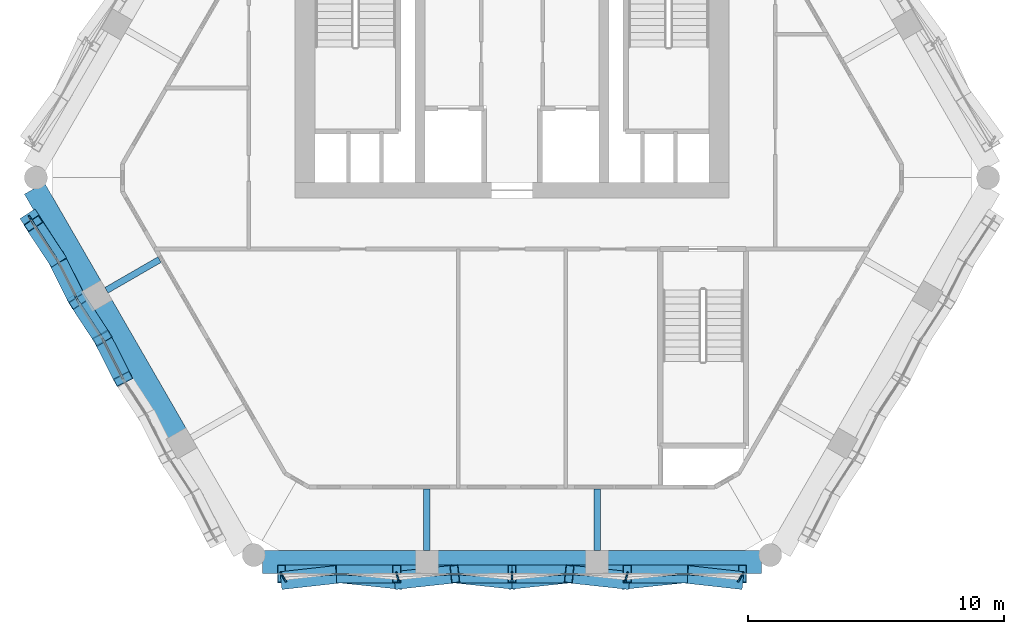
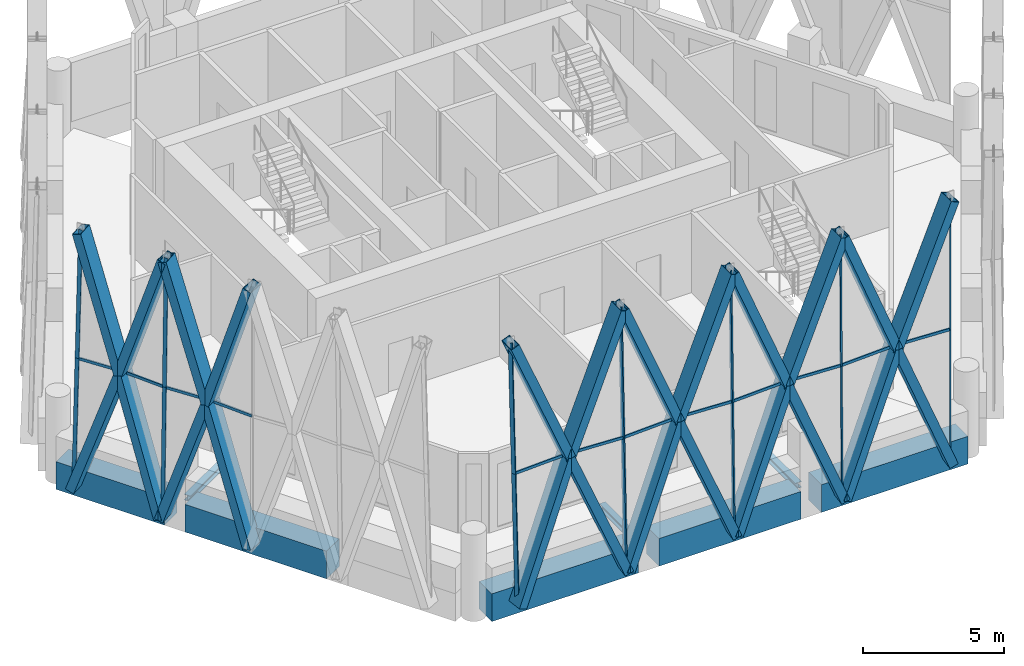
# One storey, part 4 of 21: 50 members, 8 beams, 4 elements without a shape of their own.
"""IFC4 building model written with IfcOpenShell, lengths in metres."""

from ifc_helpers import new_model, si_unit, direction, frame, origin, origin_2d, place, context, subcontext, project, spatial, rectangle, hollow_rectangle, i_section, extrude, material, material_profile, profile_set, type_object, element, aggregate, save


model = new_model("IFC4")

# Units and contexts
model_context = context("Model", 3, precision=1e-05, world=origin(), true_north=direction((0.0, 1.0)))
body_context = subcontext(model_context, "Body", "Model", "MODEL_VIEW")
ifc_project = project(units=[si_unit("LENGTHUNIT", "METRE"), si_unit("AREAUNIT", "SQUARE_METRE"), si_unit("VOLUMEUNIT", "CUBIC_METRE"), si_unit("PLANEANGLEUNIT", "RADIAN"), si_unit("MASSUNIT", "GRAM", prefix="KILO")], contexts=[model_context])

# Site, building, storey
site_placement = place(None, origin())
site = spatial("IfcSite", under=ifc_project, at=site_placement, CompositionType="ELEMENT")
building_placement = place(site_placement, origin())
building = spatial("IfcBuilding", under=site, at=building_placement, Name="Ostrander Bayou Hotel Tower", CompositionType="ELEMENT")
storey_placement = place(building_placement, frame((0.0, 0.0, 256.25)))
storey = spatial("IfcBuildingStorey", under=building, at=storey_placement, Name="L63", CompositionType="ELEMENT", Elevation=256.25)

# Curtain wall, members
ifc_material_1 = material(Name="Aluminium and clear glass", Category="aluminium")
curtain_wall_type = type_object("IfcCurtainWallType", Name="CW-LAT lattice glazing", PredefinedType="NOTDEFINED", material=ifc_material_1)
curtain_wall_1_placement = place(storey_placement, origin())
curtain_wall_1 = element("IfcCurtainWall", 1, at=curtain_wall_1_placement, inside=storey, type_object=curtain_wall_type, Name="CW-LAT L63 SW 1", PredefinedType="NOTDEFINED")
ifc_material_2 = material(Name="Aluminium", Category="aluminium")
ifc_material_profile_1 = material_profile(ifc_material_2, hollow_rectangle(XDim=0.06005859375, YDim=0.159912109375, WallThickness=0.00390625, at=origin_2d()))
ifc_profile_set_1 = profile_set([ifc_material_profile_1], Name="Aluminium")
member_type_1 = type_object("IfcMemberType", Name="CW-LA mullion 60 x 160 mm", PredefinedType="MULLION", material=ifc_profile_set_1)
member_1_placement = place(storey_placement, frame((-18.866455078125, -2.46240234375, -0.60009765625), z_axis=(0.012626192954, -0.021824656549, 0.999682081273), x_axis=(0.865583332221, 0.500764909893, 0.0)))
member_1 = element("IfcMember", 2, at=member_1_placement, type_object=member_type_1, Name="CW-LAT mullion 1", PredefinedType="MULLION", context=body_context, shape_type="SweptSolid", body=[
    extrude(hollow_rectangle(XDim=0.06005859375, YDim=0.159912109375, WallThickness=0.00390625, at=origin_2d()), origin(), (0.0, 0.0, 1.0), 5.626708984375),
])
member_2_placement = place(storey_placement, frame((-18.79541015625, -2.585205078125, 5.02490234375), z_axis=(0.012582810856, -0.021824668484, 0.999682627996), x_axis=(0.866328918095, 0.499473928922, 0.0)))
member_2 = element("IfcMember", 3, at=member_2_placement, type_object=member_type_1, Name="CW-LAT mullion 2", PredefinedType="MULLION", context=body_context, shape_type="SweptSolid", body=[
    extrude(hollow_rectangle(XDim=0.06005859375, YDim=0.159912109375, WallThickness=0.00390625, at=origin_2d()), origin(), (0.0, 0.0, 1.0), 5.626708984375),
])
member_3_placement = place(storey_placement, frame((-17.041259765625, -5.623779296875, -0.60009765625), z_axis=(0.006292904751, -0.010893235121, 0.999920865258), x_axis=(0.865898279276, 0.500220121494, 0.0)))
member_3 = element("IfcMember", 4, at=member_3_placement, type_object=member_type_1, Name="CW-LAT mullion 4", PredefinedType="MULLION", context=body_context, shape_type="SweptSolid", body=[
    extrude(hollow_rectangle(XDim=0.06005859375, YDim=0.159912109375, WallThickness=0.00390625, at=origin_2d()), origin(), (0.0, 0.0, 1.0), 5.62548828125),
])
member_4_placement = place(storey_placement, frame((-17.005859375, -5.68505859375, 5.02490234375), z_axis=(0.00629290177, -0.010936629283, 0.999920391595), x_axis=(0.866757633554, 0.498729590736, 0.0)))
member_4 = element("IfcMember", 5, at=member_4_placement, type_object=member_type_1, Name="CW-LAT mullion 5", PredefinedType="MULLION", context=body_context, shape_type="SweptSolid", body=[
    extrude(hollow_rectangle(XDim=0.06005859375, YDim=0.159912109375, WallThickness=0.00390625, at=origin_2d()), origin(), (0.0, 0.0, 1.0), 5.62548828125),
])
aggregate(curtain_wall_1, [member_1, member_2, member_3, member_4])

curtain_wall_2_placement = place(storey_placement, origin())
curtain_wall_2 = element("IfcCurtainWall", 6, at=curtain_wall_2_placement, inside=storey, type_object=curtain_wall_type, Name="CW-LAT L63 S 1", PredefinedType="NOTDEFINED")
member_5_placement = place(storey_placement, frame((-8.87841796875, -16.658935546875, -0.60009765625), z_axis=(-0.012582822759, 0.021781300087, 0.999683573706), x_axis=(-0.865898279276, -0.500220121494, 0.0)))
member_5 = element("IfcMember", 7, at=member_5_placement, type_object=member_type_1, Name="CW-LAT mullion 1", PredefinedType="MULLION", context=body_context, shape_type="SweptSolid", body=[
    extrude(hollow_rectangle(XDim=0.06005859375, YDim=0.159912109375, WallThickness=0.00390625, at=origin_2d()), origin(), (0.0, 0.0, 1.0), 5.626708984375),
])
member_6_placement = place(storey_placement, frame((-8.94921875, -16.536376953125, 5.02490234375), z_axis=(-0.012626192954, 0.021824656549, 0.999682081273), x_axis=(-0.865583332221, -0.500764909893, 0.0)))
member_6 = element("IfcMember", 8, at=member_6_placement, type_object=member_type_1, Name="CW-LAT mullion 2", PredefinedType="MULLION", context=body_context, shape_type="SweptSolid", body=[
    extrude(hollow_rectangle(XDim=0.06005859375, YDim=0.159912109375, WallThickness=0.00390625, at=origin_2d()), origin(), (0.0, 0.0, 1.0), 5.626708984375),
])
member_7_placement = place(storey_placement, frame((-4.439208984375, -16.658935546875, -0.60009765625), z_axis=(-0.006291784952, 0.021782593418, 0.999742932991), x_axis=(-0.960725521759, -0.277500399711, 0.0)))
member_7 = element("IfcMember", 9, at=member_7_placement, type_object=member_type_1, Name="CW-LAT mullion 4", PredefinedType="MULLION", context=body_context, shape_type="SweptSolid", body=[
    extrude(hollow_rectangle(XDim=0.06005859375, YDim=0.159912109375, WallThickness=0.00390625, at=origin_2d()), origin(), (0.0, 0.0, 1.0), 5.62646484375),
])
member_8_placement = place(storey_placement, frame((-4.474609375, -16.536376953125, 5.02490234375), z_axis=(-0.006291778999, 0.021825964389, 0.999741987112), x_axis=(-0.960872490948, -0.276991075919, 0.0)))
member_8 = element("IfcMember", 10, at=member_8_placement, type_object=member_type_1, Name="CW-LAT mullion 5", PredefinedType="MULLION", context=body_context, shape_type="SweptSolid", body=[
    extrude(hollow_rectangle(XDim=0.06005859375, YDim=0.159912109375, WallThickness=0.00390625, at=origin_2d()), origin(), (0.0, 0.0, 1.0), 5.62646484375),
])
member_9_placement = place(storey_placement, frame((0.0, -16.658935546875, -0.60009765625), z_axis=(0.0, 0.02178302458, 0.99976272177), x_axis=(-1.0, 0.0, 0.0)))
member_9 = element("IfcMember", 11, at=member_9_placement, type_object=member_type_1, Name="CW-LAT mullion 8", PredefinedType="MULLION", context=body_context, shape_type="SweptSolid", body=[
    extrude(hollow_rectangle(XDim=0.06005859375, YDim=0.159912109375, WallThickness=0.00390625, at=origin_2d()), origin(), (0.0, 0.0, 1.0), 5.626220703125),
])
member_10_placement = place(storey_placement, frame((0.0, -16.536376953125, 5.02490234375), z_axis=(0.0, 0.021826396408, 0.999761775835), x_axis=(-1.0, 0.0, 0.0)))
member_10 = element("IfcMember", 12, at=member_10_placement, type_object=member_type_1, Name="CW-LAT mullion 9", PredefinedType="MULLION", context=body_context, shape_type="SweptSolid", body=[
    extrude(hollow_rectangle(XDim=0.06005859375, YDim=0.159912109375, WallThickness=0.00390625, at=origin_2d()), origin(), (0.0, 0.0, 1.0), 5.626220703125),
])
member_11_placement = place(storey_placement, frame((4.439208984375, -16.658935546875, -0.60009765625), z_axis=(0.006291784952, 0.021782593418, 0.999742932991), x_axis=(-0.960725521759, 0.277500399711, 0.0)))
member_11 = element("IfcMember", 13, at=member_11_placement, type_object=member_type_1, Name="CW-LAT mullion 12", PredefinedType="MULLION", context=body_context, shape_type="SweptSolid", body=[
    extrude(hollow_rectangle(XDim=0.06005859375, YDim=0.159912109375, WallThickness=0.00390625, at=origin_2d()), origin(), (0.0, 0.0, 1.0), 5.62646484375),
])
member_12_placement = place(storey_placement, frame((4.474609375, -16.536376953125, 5.02490234375), z_axis=(0.006291778999, 0.021825964389, 0.999741987112), x_axis=(-0.960872490948, 0.276991075919, 0.0)))
member_12 = element("IfcMember", 14, at=member_12_placement, type_object=member_type_1, Name="CW-LAT mullion 13", PredefinedType="MULLION", context=body_context, shape_type="SweptSolid", body=[
    extrude(hollow_rectangle(XDim=0.06005859375, YDim=0.159912109375, WallThickness=0.00390625, at=origin_2d()), origin(), (0.0, 0.0, 1.0), 5.62646484375),
])
member_13_placement = place(storey_placement, frame((8.87841796875, -16.658935546875, -0.60009765625), z_axis=(0.012582822759, 0.021781300087, 0.999683573706), x_axis=(-0.865898279276, 0.500220121494, 0.0)))
member_13 = element("IfcMember", 15, at=member_13_placement, type_object=member_type_1, Name="CW-LAT mullion 16", PredefinedType="MULLION", context=body_context, shape_type="SweptSolid", body=[
    extrude(hollow_rectangle(XDim=0.06005859375, YDim=0.159912109375, WallThickness=0.00390625, at=origin_2d()), origin(), (0.0, 0.0, 1.0), 5.626708984375),
])
member_14_placement = place(storey_placement, frame((8.94921875, -16.536376953125, 5.02490234375), z_axis=(0.012626192954, 0.021824656549, 0.999682081273), x_axis=(-0.865583332221, 0.500764909893, 0.0)))
member_14 = element("IfcMember", 16, at=member_14_placement, type_object=member_type_1, Name="CW-LAT mullion 17", PredefinedType="MULLION", context=body_context, shape_type="SweptSolid", body=[
    extrude(hollow_rectangle(XDim=0.06005859375, YDim=0.159912109375, WallThickness=0.00390625, at=origin_2d()), origin(), (0.0, 0.0, 1.0), 5.626708984375),
])
aggregate(curtain_wall_2, [member_5, member_6, member_7, member_8, member_9, member_10, member_11, member_12, member_13, member_14])

curtain_wall_3_placement = place(storey_placement, origin())
curtain_wall_3 = element("IfcCurtainWall", 17, at=curtain_wall_3_placement, inside=storey, type_object=curtain_wall_type, Name="CW-LAT L63 SW 2", PredefinedType="NOTDEFINED")
ifc_material_3 = material(Name="Aluminium", Category="aluminium")
ifc_material_profile_2 = material_profile(ifc_material_3, hollow_rectangle(XDim=0.06005859375, YDim=0.1201171875, WallThickness=0.00390625, at=origin_2d()))
ifc_profile_set_2 = profile_set([ifc_material_profile_2], Name="Aluminium")
member_type_2 = type_object("IfcMemberType", Name="CW-LA transom 60 x 120 mm", PredefinedType="USERDEFINED", material=ifc_profile_set_2)
member_15_placement = place(storey_placement, frame((-18.79541015625, -2.585205078125, 5.02490234375), z_axis=(0.545423988773, -0.83816029044, 0.0), x_axis=(0.83816029044, 0.545423988773, 0.0)))
member_15 = element("IfcMember", 18, at=member_15_placement, type_object=member_type_2, Name="CW-LAT transom 3", ObjectType="TRANSOM", PredefinedType="USERDEFINED", context=body_context, shape_type="SweptSolid", body=[
    extrude(hollow_rectangle(XDim=0.06005859375, YDim=0.1201171875, WallThickness=0.00390625, at=origin_2d()), origin(), (0.0, 0.0, 1.0), 1.792236328125),
])
member_16_placement = place(storey_placement, frame((-17.005859375, -5.68505859375, 5.02490234375), z_axis=(-0.453088894206, 0.891465340856, 0.0), x_axis=(-0.891465340856, -0.453088894206, 0.0)))
member_16 = element("IfcMember", 19, at=member_16_placement, type_object=member_type_2, Name="CW-LAT transom 6", ObjectType="TRANSOM", PredefinedType="USERDEFINED", context=body_context, shape_type="SweptSolid", body=[
    extrude(hollow_rectangle(XDim=0.06005859375, YDim=0.1201171875, WallThickness=0.00390625, at=origin_2d()), origin(), (0.0, 0.0, 1.0), 1.792236328125),
])
member_17_placement = place(storey_placement, frame((-17.005859375, -5.68505859375, 5.02490234375), z_axis=(0.545519674229, -0.838098016362, 0.0), x_axis=(0.838098016362, 0.545519674229, 0.0)))
member_17 = element("IfcMember", 20, at=member_17_placement, type_object=member_type_2, Name="CW-LAT transom 7", ObjectType="TRANSOM", PredefinedType="USERDEFINED", context=body_context, shape_type="SweptSolid", body=[
    extrude(hollow_rectangle(XDim=0.06005859375, YDim=0.1201171875, WallThickness=0.00390625, at=origin_2d()), origin(), (0.0, 0.0, 1.0), 1.79248046875),
])
member_18_placement = place(storey_placement, frame((-15.216064453125, -8.784912109375, 5.02490234375), z_axis=(-0.453088894206, 0.891465340856, 0.0), x_axis=(-0.891465340856, -0.453088894206, 0.0)))
member_18 = element("IfcMember", 21, at=member_18_placement, type_object=member_type_2, Name="CW-LAT transom 10", ObjectType="TRANSOM", PredefinedType="USERDEFINED", context=body_context, shape_type="SweptSolid", body=[
    extrude(hollow_rectangle(XDim=0.06005859375, YDim=0.1201171875, WallThickness=0.00390625, at=origin_2d()), origin(), (0.0, 0.0, 1.0), 1.792236328125),
])
aggregate(curtain_wall_3, [member_15, member_16, member_17, member_18])

curtain_wall_4_placement = place(storey_placement, origin())
curtain_wall_4 = element("IfcCurtainWall", 22, at=curtain_wall_4_placement, inside=storey, type_object=curtain_wall_type, Name="CW-LAT L63 S 2", PredefinedType="NOTDEFINED")
member_19_placement = place(storey_placement, frame((-8.94921875, -16.536376953125, 5.02490234375), z_axis=(0.998648066902, 0.051981135739, 0.0), x_axis=(-0.051981135739, 0.998648066902, 0.0)))
member_19 = element("IfcMember", 23, at=member_19_placement, type_object=member_type_2, Name="CW-LAT transom 3", ObjectType="TRANSOM", PredefinedType="USERDEFINED", context=body_context, shape_type="SweptSolid", body=[
    extrude(hollow_rectangle(XDim=0.06005859375, YDim=0.1201171875, WallThickness=0.00390625, at=origin_2d()), origin(), (0.0, 0.0, 1.0), 2.240234375),
])
member_20_placement = place(storey_placement, frame((-4.474609375, -16.536376953125, 5.02490234375), z_axis=(-0.998648066902, 0.051981135739, 0.0), x_axis=(-0.051981135739, -0.998648066902, 0.0)))
member_20 = element("IfcMember", 24, at=member_20_placement, type_object=member_type_2, Name="CW-LAT transom 6", ObjectType="TRANSOM", PredefinedType="USERDEFINED", context=body_context, shape_type="SweptSolid", body=[
    extrude(hollow_rectangle(XDim=0.06005859375, YDim=0.1201171875, WallThickness=0.00390625, at=origin_2d()), origin(), (0.0, 0.0, 1.0), 2.240234375),
])
member_21_placement = place(storey_placement, frame((-4.474609375, -16.536376953125, 5.02490234375), z_axis=(0.998648066902, 0.051981135739, 0.0), x_axis=(-0.051981135739, 0.998648066902, 0.0)))
member_21 = element("IfcMember", 25, at=member_21_placement, type_object=member_type_2, Name="CW-LAT transom 7", ObjectType="TRANSOM", PredefinedType="USERDEFINED", context=body_context, shape_type="SweptSolid", body=[
    extrude(hollow_rectangle(XDim=0.06005859375, YDim=0.1201171875, WallThickness=0.00390625, at=origin_2d()), origin(), (0.0, 0.0, 1.0), 2.240234375),
])
member_22_placement = place(storey_placement, frame((0.0, -16.536376953125, 5.02490234375), z_axis=(-0.998648066902, 0.051981135739, 0.0), x_axis=(-0.051981135739, -0.998648066902, 0.0)))
member_22 = element("IfcMember", 26, at=member_22_placement, type_object=member_type_2, Name="CW-LAT transom 10", ObjectType="TRANSOM", PredefinedType="USERDEFINED", context=body_context, shape_type="SweptSolid", body=[
    extrude(hollow_rectangle(XDim=0.06005859375, YDim=0.1201171875, WallThickness=0.00390625, at=origin_2d()), origin(), (0.0, 0.0, 1.0), 2.240234375),
])
member_23_placement = place(storey_placement, frame((0.0, -16.536376953125, 5.02490234375), z_axis=(0.998648066902, 0.051981135739, 0.0), x_axis=(-0.051981135739, 0.998648066902, 0.0)))
member_23 = element("IfcMember", 27, at=member_23_placement, type_object=member_type_2, Name="CW-LAT transom 11", ObjectType="TRANSOM", PredefinedType="USERDEFINED", context=body_context, shape_type="SweptSolid", body=[
    extrude(hollow_rectangle(XDim=0.06005859375, YDim=0.1201171875, WallThickness=0.00390625, at=origin_2d()), origin(), (0.0, 0.0, 1.0), 2.240234375),
])
member_24_placement = place(storey_placement, frame((4.474609375, -16.536376953125, 5.02490234375), z_axis=(-0.998648066902, 0.051981135739, 0.0), x_axis=(-0.051981135739, -0.998648066902, 0.0)))
member_24 = element("IfcMember", 28, at=member_24_placement, type_object=member_type_2, Name="CW-LAT transom 14", ObjectType="TRANSOM", PredefinedType="USERDEFINED", context=body_context, shape_type="SweptSolid", body=[
    extrude(hollow_rectangle(XDim=0.06005859375, YDim=0.1201171875, WallThickness=0.00390625, at=origin_2d()), origin(), (0.0, 0.0, 1.0), 2.240234375),
])
member_25_placement = place(storey_placement, frame((4.474609375, -16.536376953125, 5.02490234375), z_axis=(0.998648066902, 0.051981135739, 0.0), x_axis=(-0.051981135739, 0.998648066902, 0.0)))
member_25 = element("IfcMember", 29, at=member_25_placement, type_object=member_type_2, Name="CW-LAT transom 15", ObjectType="TRANSOM", PredefinedType="USERDEFINED", context=body_context, shape_type="SweptSolid", body=[
    extrude(hollow_rectangle(XDim=0.06005859375, YDim=0.1201171875, WallThickness=0.00390625, at=origin_2d()), origin(), (0.0, 0.0, 1.0), 2.240234375),
])
member_26_placement = place(storey_placement, frame((8.94921875, -16.536376953125, 5.02490234375), z_axis=(-0.998648066902, 0.051981135739, 0.0), x_axis=(-0.051981135739, -0.998648066902, 0.0)))
member_26 = element("IfcMember", 30, at=member_26_placement, type_object=member_type_2, Name="CW-LAT transom 18", ObjectType="TRANSOM", PredefinedType="USERDEFINED", context=body_context, shape_type="SweptSolid", body=[
    extrude(hollow_rectangle(XDim=0.06005859375, YDim=0.1201171875, WallThickness=0.00390625, at=origin_2d()), origin(), (0.0, 0.0, 1.0), 2.240234375),
])
aggregate(curtain_wall_4, [member_19, member_20, member_21, member_22, member_23, member_24, member_25, member_26])

# Beams
ifc_material_4 = material(Name="Steel ASTM A992", Category="steel")
ifc_material_profile_3 = material_profile(ifc_material_4, i_section(OverallWidth=0.25390625, OverallDepth=0.25341796875, WebThickness=0.008544921875, FlangeThickness=0.01416015625, at=origin_2d()))
ifc_profile_set_3 = profile_set([ifc_material_profile_3], Name="Steel ASTM A992")
beam_type_1 = type_object("IfcBeamType", Name="LB2 loggia bracket W10x49", PredefinedType="BEAM", material=ifc_profile_set_3)
for number, where, z_axis, x_axis, name in (
    (31, (-15.867431640625, -5.316650390625, -0.4267578125), (0.866024647952, 0.500001309137, 0.0), (-0.500001309137, 0.866024647952, 0.0), "LB2 L63 SW1"),
    (32, (-3.329345703125, -15.489013671875, -0.4267578125), (0.0, 1.0, 0.0), (-1.0, 0.0, 0.0), "LB2 L63 S1"),
    (33, (3.329345703125, -15.489013671875, -0.4267578125), (0.0, 1.0, 0.0), (-1.0, 0.0, 0.0), "LB2 L63 S2"),
):
    element("IfcBeam", number, at=place(storey_placement, frame(where, z_axis=z_axis, x_axis=x_axis)), inside=storey, type_object=beam_type_1, Name=name, PredefinedType="BEAM", context=body_context, shape_type="SweptSolid", body=[
        extrude(i_section(OverallWidth=0.25390625, OverallDepth=0.25341796875, WebThickness=0.008544921875, FlangeThickness=0.01416015625, at=origin_2d()), origin(), (0.0, 0.0, 1.0), 2.39990234375),
    ])

# Members
ifc_material_5 = material(Name="Steel ASTM A572 Gr 50", Category="steel")
ifc_material_profile_4 = material_profile(ifc_material_5, hollow_rectangle(XDim=0.699951171875, YDim=0.35009765625, WallThickness=0.02490234375, at=origin_2d()))
ifc_profile_set_4 = profile_set([ifc_material_profile_4], Name="Steel ASTM A572 Gr 50")
member_type_3 = type_object("IfcMemberType", Name="LT1 lattice member box 700 x 350 x 25 mm", PredefinedType="BRACE", material=ifc_profile_set_4)
member_27_placement = place(storey_placement, frame((-17.81787109375, -4.08740234375, 5.02490234375), z_axis=(-0.176286692119, 0.273193066996, -0.945668308831), x_axis=(-0.840250267661, -0.542198752945, 0.0)))
element("IfcMember", 34, at=member_27_placement, inside=storey, type_object=member_type_3, Name="LT1 L63 SW 1", PredefinedType="BRACE", context=body_context, shape_type="SweptSolid", body=[
    extrude(hollow_rectangle(XDim=0.699951171875, YDim=0.35009765625, WallThickness=0.02490234375, at=origin_2d()), origin(), (0.0, 0.0, 1.0), 5.9482421875),
])
member_28_placement = place(storey_placement, frame((-17.81787109375, -4.08740234375, 5.02490234375), z_axis=(-0.154675111336, 0.235302740724, 0.95953542412), x_axis=(-0.835627896196, -0.549295930349, 0.0)))
element("IfcMember", 35, at=member_28_placement, inside=storey, type_object=member_type_3, Name="LT1 L63 SW 2", PredefinedType="BRACE", context=body_context, shape_type="SweptSolid", body=[
    extrude(hollow_rectangle(XDim=0.699951171875, YDim=0.35009765625, WallThickness=0.02490234375, at=origin_2d()), origin(), (0.0, 0.0, 1.0), 5.8623046875),
])
member_29_placement = place(storey_placement, frame((-17.81787109375, -4.08740234375, 5.02490234375), z_axis=(0.132019865957, -0.261176050445, -0.956220594668), x_axis=(0.892461536076, 0.451123493764, 0.0)))
element("IfcMember", 36, at=member_29_placement, inside=storey, type_object=member_type_3, Name="LT1 L63 SW 3", PredefinedType="BRACE", context=body_context, shape_type="SweptSolid", body=[
    extrude(hollow_rectangle(XDim=0.699951171875, YDim=0.35009765625, WallThickness=0.02490234375, at=origin_2d()), origin(), (0.0, 0.0, 1.0), 5.882568359375),
])
for number, where, z_axis, x_axis, name in (
    (37, (-17.81787109375, -4.08740234375, 5.02490234375), (0.143010951676, -0.280006461421, 0.949286178801), (0.890567995839, 0.454850134426, 0.0), "LT1 L63 SW 4"),
    (38, (-16.028076171875, -7.187255859375, 5.02490234375), (-0.170986839235, 0.263855353846, -0.949285970114), (-0.839197287019, -0.543827098865, 0.0), "LT1 L63 SW 5"),
):
    element("IfcMember", number, at=place(storey_placement, frame(where, z_axis=z_axis, x_axis=x_axis)), inside=storey, type_object=member_type_3, Name=name, PredefinedType="BRACE", context=body_context, shape_type="SweptSolid", body=[
        extrude(hollow_rectangle(XDim=0.699951171875, YDim=0.35009765625, WallThickness=0.02490234375, at=origin_2d()), origin(), (0.0, 0.0, 1.0), 5.925537109375),
    ])
member_30_placement = place(storey_placement, frame((-16.028076171875, -7.187255859375, 5.02490234375), z_axis=(-0.160200042577, 0.244906852654, 0.956219943256), x_axis=(-0.836862169626, -0.547413654424, 0.0)))
element("IfcMember", 39, at=member_30_placement, inside=storey, type_object=member_type_3, Name="LT1 L63 SW 6", PredefinedType="BRACE", context=body_context, shape_type="SweptSolid", body=[
    extrude(hollow_rectangle(XDim=0.699951171875, YDim=0.35009765625, WallThickness=0.02490234375, at=origin_2d()), origin(), (0.0, 0.0, 1.0), 5.882568359375),
])
for number, where, z_axis, x_axis, name in (
    (40, (-16.028076171875, -7.187255859375, 5.02490234375), (0.137545177887, -0.270624066173, -0.952808448141), (0.891465340856, 0.453088894206, 0.0), "LT1 L63 SW 7"),
    (41, (-16.028076171875, -7.187255859375, 5.02490234375), (0.137545177887, -0.270624066173, 0.952808448141), (0.891465340856, 0.453088894206, 0.0), "LT1 L63 SW 8"),
):
    element("IfcMember", number, at=place(storey_placement, frame(where, z_axis=z_axis, x_axis=x_axis)), inside=storey, type_object=member_type_3, Name=name, PredefinedType="BRACE", context=body_context, shape_type="SweptSolid", body=[
        extrude(hollow_rectangle(XDim=0.699951171875, YDim=0.35009765625, WallThickness=0.02490234375, at=origin_2d()), origin(), (0.0, 0.0, 1.0), 5.903564453125),
    ])
member_31_placement = place(storey_placement, frame((-6.7119140625, -16.419921875, 5.02490234375), z_axis=(-0.359136501285, -0.039620761185, -0.932443654452), x_axis=(0.109656990024, -0.993969488736, 0.0)))
element("IfcMember", 42, at=member_31_placement, inside=storey, type_object=member_type_3, Name="LT1 L63 S 1", PredefinedType="BRACE", context=body_context, shape_type="SweptSolid", body=[
    extrude(hollow_rectangle(XDim=0.699951171875, YDim=0.35009765625, WallThickness=0.02490234375, at=origin_2d()), origin(), (0.0, 0.0, 1.0), 6.032470703125),
])
member_32_placement = place(storey_placement, frame((-6.7119140625, -16.419921875, 5.02490234375), z_axis=(-0.379648678429, 0.001043983674, 0.925130148176), x_axis=(-0.002749857398, -0.999996219135, 0.0)))
element("IfcMember", 43, at=member_32_placement, inside=storey, type_object=member_type_3, Name="LT1 L63 S 2", PredefinedType="BRACE", context=body_context, shape_type="SweptSolid", body=[
    extrude(hollow_rectangle(XDim=0.699951171875, YDim=0.35009765625, WallThickness=0.02490234375, at=origin_2d()), origin(), (0.0, 0.0, 1.0), 6.080322265625),
])
member_33_placement = place(storey_placement, frame((-6.7119140625, -16.419921875, 5.02490234375), z_axis=(0.37432436136, -0.039366586075, -0.926461841844), x_axis=(0.104590243492, 0.994515400065, 0.0)))
element("IfcMember", 44, at=member_33_placement, inside=storey, type_object=member_type_3, Name="LT1 L63 S 3", PredefinedType="BRACE", context=body_context, shape_type="SweptSolid", body=[
    extrude(hollow_rectangle(XDim=0.699951171875, YDim=0.35009765625, WallThickness=0.02490234375, at=origin_2d()), origin(), (0.0, 0.0, 1.0), 6.071533203125),
])
member_34_placement = place(storey_placement, frame((-6.7119140625, -16.419921875, 5.02490234375), z_axis=(0.364516484881, 0.001050829206, 0.931196342351), x_axis=(-0.002882790993, 0.999995844749, 0.0)))
element("IfcMember", 45, at=member_34_placement, inside=storey, type_object=member_type_3, Name="LT1 L63 S 4", PredefinedType="BRACE", context=body_context, shape_type="SweptSolid", body=[
    extrude(hollow_rectangle(XDim=0.699951171875, YDim=0.35009765625, WallThickness=0.02490234375, at=origin_2d()), origin(), (0.0, 0.0, 1.0), 6.04052734375),
])
member_35_placement = place(storey_placement, frame((-2.2373046875, -16.419921875, 5.02490234375), z_axis=(-0.364231675371, -0.039536845569, -0.930468765999), x_axis=(0.107914712524, -0.994160155519, 0.0)))
element("IfcMember", 46, at=member_35_placement, inside=storey, type_object=member_type_3, Name="LT1 L63 S 5", PredefinedType="BRACE", context=body_context, shape_type="SweptSolid", body=[
    extrude(hollow_rectangle(XDim=0.699951171875, YDim=0.35009765625, WallThickness=0.02490234375, at=origin_2d()), origin(), (0.0, 0.0, 1.0), 6.04541015625),
])
member_36_placement = place(storey_placement, frame((-2.2373046875, -16.419921875, 5.02490234375), z_axis=(-0.374614544358, 0.001046296933, 0.92718005178), x_axis=(-0.002792985132, -0.999996099609, 0.0)))
element("IfcMember", 47, at=member_36_placement, inside=storey, type_object=member_type_3, Name="LT1 L63 S 6", PredefinedType="BRACE", context=body_context, shape_type="SweptSolid", body=[
    extrude(hollow_rectangle(XDim=0.699951171875, YDim=0.35009765625, WallThickness=0.02490234375, at=origin_2d()), origin(), (0.0, 0.0, 1.0), 6.06689453125),
])
member_37_placement = place(storey_placement, frame((-2.2373046875, -16.419921875, 5.02490234375), z_axis=(0.369294352119, -0.039452113785, -0.928474669666), x_axis=(0.106226622079, 0.994341945591, 0.0)))
element("IfcMember", 48, at=member_37_placement, inside=storey, type_object=member_type_3, Name="LT1 L63 S 7", PredefinedType="BRACE", context=body_context, shape_type="SweptSolid", body=[
    extrude(hollow_rectangle(XDim=0.699951171875, YDim=0.35009765625, WallThickness=0.02490234375, at=origin_2d()), origin(), (0.0, 0.0, 1.0), 6.058349609375),
])
member_38_placement = place(storey_placement, frame((-2.2373046875, -16.419921875, 5.02490234375), z_axis=(0.369581882527, 0.001048573652, 0.929197574578), x_axis=(-0.002837177581, 0.999995975204, 0.0)))
element("IfcMember", 49, at=member_38_placement, inside=storey, type_object=member_type_3, Name="LT1 L63 S 8", PredefinedType="BRACE", context=body_context, shape_type="SweptSolid", body=[
    extrude(hollow_rectangle(XDim=0.699951171875, YDim=0.35009765625, WallThickness=0.02490234375, at=origin_2d()), origin(), (0.0, 0.0, 1.0), 6.0537109375),
])
member_39_placement = place(storey_placement, frame((2.2373046875, -16.419921875, 5.02490234375), z_axis=(-0.369294352119, -0.039452113785, -0.928474669666), x_axis=(0.106226622079, -0.994341945591, 0.0)))
element("IfcMember", 50, at=member_39_placement, inside=storey, type_object=member_type_3, Name="LT1 L63 S 9", PredefinedType="BRACE", context=body_context, shape_type="SweptSolid", body=[
    extrude(hollow_rectangle(XDim=0.699951171875, YDim=0.35009765625, WallThickness=0.02490234375, at=origin_2d()), origin(), (0.0, 0.0, 1.0), 6.058349609375),
])
member_40_placement = place(storey_placement, frame((2.2373046875, -16.419921875, 5.02490234375), z_axis=(-0.369581882527, 0.001048573652, 0.929197574578), x_axis=(-0.002837177581, -0.999995975204, 0.0)))
element("IfcMember", 51, at=member_40_placement, inside=storey, type_object=member_type_3, Name="LT1 L63 S 10", PredefinedType="BRACE", context=body_context, shape_type="SweptSolid", body=[
    extrude(hollow_rectangle(XDim=0.699951171875, YDim=0.35009765625, WallThickness=0.02490234375, at=origin_2d()), origin(), (0.0, 0.0, 1.0), 6.0537109375),
])
member_41_placement = place(storey_placement, frame((2.2373046875, -16.419921875, 5.02490234375), z_axis=(0.364231675371, -0.039536845569, -0.930468765999), x_axis=(0.107914712524, 0.994160155519, 0.0)))
element("IfcMember", 52, at=member_41_placement, inside=storey, type_object=member_type_3, Name="LT1 L63 S 11", PredefinedType="BRACE", context=body_context, shape_type="SweptSolid", body=[
    extrude(hollow_rectangle(XDim=0.699951171875, YDim=0.35009765625, WallThickness=0.02490234375, at=origin_2d()), origin(), (0.0, 0.0, 1.0), 6.04541015625),
])
member_42_placement = place(storey_placement, frame((2.2373046875, -16.419921875, 5.02490234375), z_axis=(0.374614544358, 0.001046296933, 0.92718005178), x_axis=(-0.002792985132, 0.999996099609, 0.0)))
element("IfcMember", 53, at=member_42_placement, inside=storey, type_object=member_type_3, Name="LT1 L63 S 12", PredefinedType="BRACE", context=body_context, shape_type="SweptSolid", body=[
    extrude(hollow_rectangle(XDim=0.699951171875, YDim=0.35009765625, WallThickness=0.02490234375, at=origin_2d()), origin(), (0.0, 0.0, 1.0), 6.06689453125),
])
member_43_placement = place(storey_placement, frame((6.7119140625, -16.419921875, 5.02490234375), z_axis=(-0.37432436136, -0.039366586075, -0.926461841844), x_axis=(0.104590243492, -0.994515400065, 0.0)))
element("IfcMember", 54, at=member_43_placement, inside=storey, type_object=member_type_3, Name="LT1 L63 S 13", PredefinedType="BRACE", context=body_context, shape_type="SweptSolid", body=[
    extrude(hollow_rectangle(XDim=0.699951171875, YDim=0.35009765625, WallThickness=0.02490234375, at=origin_2d()), origin(), (0.0, 0.0, 1.0), 6.071533203125),
])
member_44_placement = place(storey_placement, frame((6.7119140625, -16.419921875, 5.02490234375), z_axis=(-0.364516484881, 0.001050829206, 0.931196342351), x_axis=(-0.002882790993, -0.999995844749, 0.0)))
element("IfcMember", 55, at=member_44_placement, inside=storey, type_object=member_type_3, Name="LT1 L63 S 14", PredefinedType="BRACE", context=body_context, shape_type="SweptSolid", body=[
    extrude(hollow_rectangle(XDim=0.699951171875, YDim=0.35009765625, WallThickness=0.02490234375, at=origin_2d()), origin(), (0.0, 0.0, 1.0), 6.04052734375),
])
member_45_placement = place(storey_placement, frame((6.7119140625, -16.419921875, 5.02490234375), z_axis=(0.359136501285, -0.039620761185, -0.932443654452), x_axis=(0.109656990024, 0.993969488736, 0.0)))
element("IfcMember", 56, at=member_45_placement, inside=storey, type_object=member_type_3, Name="LT1 L63 S 15", PredefinedType="BRACE", context=body_context, shape_type="SweptSolid", body=[
    extrude(hollow_rectangle(XDim=0.699951171875, YDim=0.35009765625, WallThickness=0.02490234375, at=origin_2d()), origin(), (0.0, 0.0, 1.0), 6.032470703125),
])
member_46_placement = place(storey_placement, frame((6.7119140625, -16.419921875, 5.02490234375), z_axis=(0.379648678429, 0.001043983674, 0.925130148176), x_axis=(-0.002749857398, 0.999996219135, 0.0)))
element("IfcMember", 57, at=member_46_placement, inside=storey, type_object=member_type_3, Name="LT1 L63 S 16", PredefinedType="BRACE", context=body_context, shape_type="SweptSolid", body=[
    extrude(hollow_rectangle(XDim=0.699951171875, YDim=0.35009765625, WallThickness=0.02490234375, at=origin_2d()), origin(), (0.0, 0.0, 1.0), 6.080322265625),
])

# Beams
ifc_material_6 = material(Name="Concrete f'c 60 MPa", Category="concrete")
ifc_material_profile_5 = material_profile(ifc_material_6, rectangle(XDim=0.89990234375, YDim=1.199951171875, at=origin_2d()))
ifc_profile_set_5 = profile_set([ifc_material_profile_5], Name="Concrete f'c 60 MPa")
beam_type_2 = type_object("IfcBeamType", Name="SP4 spandrel beam 900 x 1200 mm f'c 60 MPa", PredefinedType="SPANDREL", material=ifc_profile_set_5)
beam_1_placement = place(storey_placement, frame((-18.68701171875, -1.3330078125, -0.60009765625), z_axis=(0.499971567444, -0.866041818706, 0.0), x_axis=(0.866041818706, 0.499971567444, 0.0)))
element("IfcBeam", 58, at=beam_1_placement, inside=storey, type_object=beam_type_2, Name="SP4 L63 SW-1", PredefinedType="SPANDREL", context=body_context, shape_type="SweptSolid", body=[
    extrude(rectangle(XDim=0.89990234375, YDim=1.199951171875, at=origin_2d()), origin(), (0.0, 0.0, 1.0), 4.439697265625),
])
beam_2_placement = place(storey_placement, frame((-16.047119140625, -5.905517578125, -0.60009765625), z_axis=(0.500015433515, -0.866016493057, 0.0), x_axis=(0.866016493057, 0.500015433515, 0.0)))
element("IfcBeam", 59, at=beam_2_placement, inside=storey, type_object=beam_type_2, Name="SP4 L63 SW-2", PredefinedType="SPANDREL", context=body_context, shape_type="SweptSolid", body=[
    extrude(rectangle(XDim=0.89990234375, YDim=1.199951171875, at=origin_2d()), origin(), (0.0, 0.0, 1.0), 5.818603515625),
])
beam_3_placement = place(storey_placement, frame((-9.76708984375, -15.93896484375, -0.60009765625), z_axis=(1.0, 0.0, 0.0), x_axis=(0.0, 1.0, 0.0)))
element("IfcBeam", 60, at=beam_3_placement, inside=storey, type_object=beam_type_2, Name="SP4 L63 S-1", PredefinedType="SPANDREL", context=body_context, shape_type="SweptSolid", body=[
    extrude(rectangle(XDim=0.89990234375, YDim=1.199951171875, at=origin_2d()), origin(), (0.0, 0.0, 1.0), 6.017578125),
])
beam_4_placement = place(storey_placement, frame((-2.909423828125, -15.93896484375, -0.60009765625), z_axis=(1.0, 0.0, 0.0), x_axis=(0.0, 1.0, 0.0)))
element("IfcBeam", 61, at=beam_4_placement, inside=storey, type_object=beam_type_2, Name="SP4 L63 S-2", PredefinedType="SPANDREL", context=body_context, shape_type="SweptSolid", body=[
    extrude(rectangle(XDim=0.89990234375, YDim=1.199951171875, at=origin_2d()), origin(), (0.0, 0.0, 1.0), 5.81884765625),
])
beam_5_placement = place(storey_placement, frame((3.74951171875, -15.93896484375, -0.60009765625), z_axis=(1.0, 0.0, 0.0), x_axis=(0.0, 1.0, 0.0)))
element("IfcBeam", 62, at=beam_5_placement, inside=storey, type_object=beam_type_2, Name="SP4 L63 S-3", PredefinedType="SPANDREL", context=body_context, shape_type="SweptSolid", body=[
    extrude(rectangle(XDim=0.89990234375, YDim=1.199951171875, at=origin_2d()), origin(), (0.0, 0.0, 1.0), 6.017578125),
])

save(model, "model.ifc")
